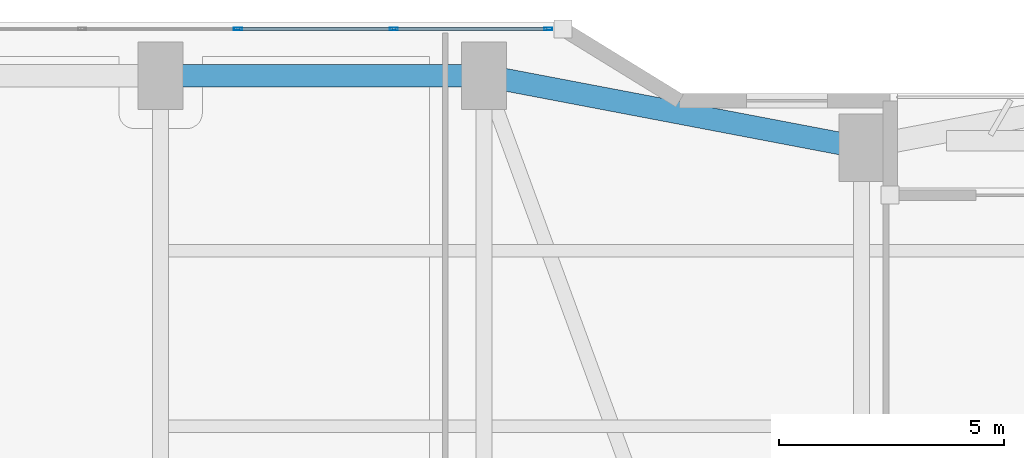
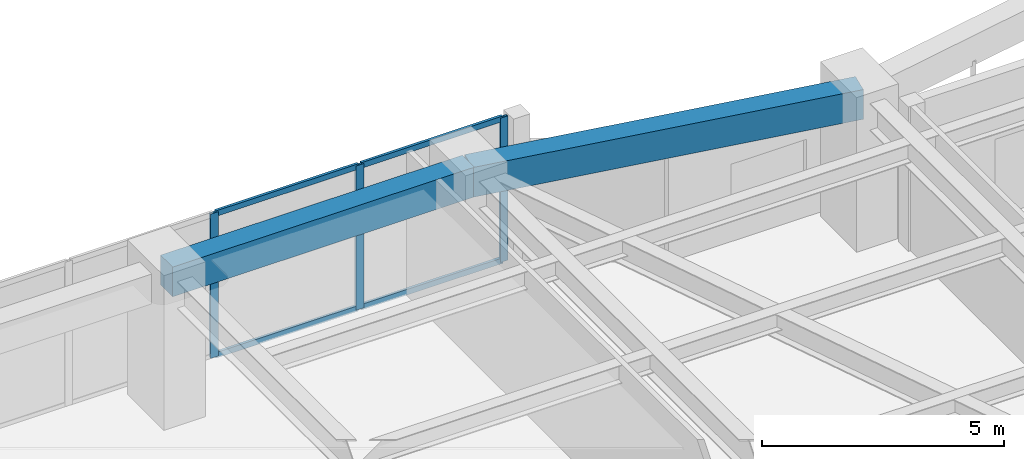
# One storey, part 17 of 28: 7 members, 2 beams, 1 element without a shape of its own.
"""IFC4 building model written with IfcOpenShell, lengths in metres."""

from ifc_helpers import new_model, si_unit, direction, frame, origin, origin_2d, place, context, subcontext, project, spatial, rectangle, hollow_rectangle, extrude, material, layer, layer_set, material_profile, profile_set, type_object, element, aggregate, save


model = new_model("IFC4")

# Units and contexts
model_context = context("Model", 3, precision=1e-05, world=origin(), true_north=direction((0.0, 1.0)))
body_context = subcontext(model_context, "Body", "Model", "MODEL_VIEW")
ifc_project = project(units=[si_unit("LENGTHUNIT", "METRE"), si_unit("AREAUNIT", "SQUARE_METRE"), si_unit("VOLUMEUNIT", "CUBIC_METRE"), si_unit("PLANEANGLEUNIT", "RADIAN"), si_unit("MASSUNIT", "GRAM", prefix="KILO")], contexts=[model_context])

# Site, building, storey
site_placement = place(None, origin())
site = spatial("IfcSite", under=ifc_project, at=site_placement, CompositionType="ELEMENT")
building_placement = place(site_placement, origin())
building = spatial("IfcBuilding", under=site, at=building_placement, Name="Kiyonajd Concourse Tower", CompositionType="ELEMENT")
storey_placement = place(building_placement, frame((0.0, 0.0, 60.60009765625)))
storey = spatial("IfcBuildingStorey", under=building, at=storey_placement, Name="L16", CompositionType="ELEMENT", Elevation=60.60009765625)

# Beams
ifc_material_1 = material(Name="Precast concrete C50/60", Category="concrete")
ifc_material_profile_1 = material_profile(ifc_material_1, rectangle(XDim=0.5, YDim=0.75, at=origin_2d()), Name="RCBM-500x750")
ifc_profile_set_1 = profile_set([ifc_material_profile_1], Name="Precast concrete C50/60")
beam_type = type_object("IfcBeamType", Name="BM-SPAN-RC", PredefinedType="SPANDREL", material=ifc_profile_set_1)
beam_1_placement = place(storey_placement, frame((48.0, 59.60009765625, 3.264892578125), z_axis=(-0.982341315253, 0.187097675953, 0.0), x_axis=(-0.187097675953, -0.982341315253, 0.0)))
element("IfcBeam", 1, at=beam_1_placement, inside=storey, type_object=beam_type, Name="L16 Perimeter Bundled Tube Spandrel", PredefinedType="SPANDREL", context=body_context, shape_type="SweptSolid", body=[
    extrude(rectangle(XDim=0.5, YDim=0.75, at=origin_2d()), origin(), (0.0, 0.0, 1.0), 8.55078125),
])
beam_2_placement = place(storey_placement, frame((39.60009765625, 61.199951171875, 3.264892578125), z_axis=(-1.0, 0.0, 0.0), x_axis=(0.0, -1.0, 0.0)))
element("IfcBeam", 2, at=beam_2_placement, inside=storey, type_object=beam_type, Name="L16 Perimeter Bundled Tube Spandrel", PredefinedType="SPANDREL", context=body_context, shape_type="SweptSolid", body=[
    extrude(rectangle(XDim=0.5, YDim=0.75, at=origin_2d()), origin(), (0.0, 0.0, 1.0), 7.2001953125),
])

# Curtain wall, members
ifc_material_2 = material(Name="Thermally Broken Anodised Aluminium", Category="aluminium")
ifc_layer = layer(ifc_material_2, 0.179931640625)
ifc_layer_set = layer_set([ifc_layer], Name="Thermally Broken Anodised Aluminium")
curtain_wall_type = type_object("IfcCurtainWallType", Name="CW-SYS-02", PredefinedType="NOTDEFINED", material=ifc_layer_set)
curtain_wall_placement = place(storey_placement, origin())
curtain_wall = element("IfcCurtainWall", 3, at=curtain_wall_placement, inside=storey, type_object=curtain_wall_type, Name="L16 Unitised Curtain Wall CW2", PredefinedType="NOTDEFINED")
ifc_material_profile_2 = material_profile(ifc_material_2, hollow_rectangle(XDim=0.06494140625, YDim=0.179931640625, WallThickness=0.00390625, at=origin_2d()), Name="MULL-65x180")
ifc_profile_set_2 = profile_set([ifc_material_profile_2], Name="Thermally Broken Anodised Aluminium")
member_type_1 = type_object("IfcMemberType", Name="MB-CW-MULL1", PredefinedType="MULLION", material=ifc_profile_set_2)
member_1_placement = place(storey_placement, frame((34.123291015625, 62.239990234375, 0.0), z_axis=(0.0, 0.0, 1.0), x_axis=(0.0, 1.0, 0.0)))
member_1 = element("IfcMember", 4, at=member_1_placement, type_object=member_type_1, Name="CW2 mullion 4", PredefinedType="MULLION", context=body_context, shape_type="SweptSolid", body=[
    extrude(hollow_rectangle(XDim=0.06494140625, YDim=0.179931640625, WallThickness=0.00390625, at=origin_2d()), origin(), (0.0, 0.0, 1.0), 3.639892578125),
])
member_2_placement = place(storey_placement, frame((37.593994140625, 62.239990234375, 0.0), z_axis=(0.0, 0.0, 1.0), x_axis=(0.0, 1.0, 0.0)))
member_2 = element("IfcMember", 5, at=member_2_placement, type_object=member_type_1, Name="CW2 mullion 5", PredefinedType="MULLION", context=body_context, shape_type="SweptSolid", body=[
    extrude(hollow_rectangle(XDim=0.06494140625, YDim=0.179931640625, WallThickness=0.00390625, at=origin_2d()), origin(), (0.0, 0.0, 1.0), 3.639892578125),
])
member_3_placement = place(storey_placement, frame((41.0322265625, 62.239990234375, 0.0), z_axis=(0.0, 0.0, 1.0), x_axis=(0.0, 1.0, 0.0)))
member_3 = element("IfcMember", 6, at=member_3_placement, type_object=member_type_1, Name="CW2 mullion 6", PredefinedType="MULLION", context=body_context, shape_type="SweptSolid", body=[
    extrude(hollow_rectangle(XDim=0.06494140625, YDim=0.179931640625, WallThickness=0.00390625, at=origin_2d()), origin(), (0.0, 0.0, 1.0), 3.639892578125),
])
ifc_material_profile_3 = material_profile(ifc_material_2, hollow_rectangle(XDim=0.06494140625, YDim=0.139892578125, WallThickness=0.00390625, at=origin_2d()), Name="TRAN-65x140")
ifc_profile_set_3 = profile_set([ifc_material_profile_3], Name="Thermally Broken Anodised Aluminium")
member_type_2 = type_object("IfcMemberType", Name="MB-CW-TRAN1", PredefinedType="USERDEFINED", material=ifc_profile_set_3)
member_4_placement = place(storey_placement, frame((34.15576171875, 62.239990234375, 0.032470703125), z_axis=(1.0, 0.0, 0.0), x_axis=(0.0, 1.0, 0.0)))
member_4 = element("IfcMember", 7, at=member_4_placement, type_object=member_type_2, Name="CW2 transom 4.1", ObjectType="TRANSOM", PredefinedType="USERDEFINED", context=body_context, shape_type="SweptSolid", body=[
    extrude(hollow_rectangle(XDim=0.06494140625, YDim=0.139892578125, WallThickness=0.00390625, at=origin_2d()), origin(), (0.0, 0.0, 1.0), 3.40576171875),
])
member_5_placement = place(storey_placement, frame((34.15576171875, 62.239990234375, 3.607421875), z_axis=(1.0, 0.0, 0.0), x_axis=(0.0, 1.0, 0.0)))
member_5 = element("IfcMember", 8, at=member_5_placement, type_object=member_type_2, Name="CW2 transom 4.2", ObjectType="TRANSOM", PredefinedType="USERDEFINED", context=body_context, shape_type="SweptSolid", body=[
    extrude(hollow_rectangle(XDim=0.06494140625, YDim=0.139892578125, WallThickness=0.00390625, at=origin_2d()), origin(), (0.0, 0.0, 1.0), 3.40576171875),
])
member_6_placement = place(storey_placement, frame((37.62646484375, 62.239990234375, 0.032470703125), z_axis=(1.0, 0.0, 0.0), x_axis=(0.0, 1.0, 0.0)))
member_6 = element("IfcMember", 9, at=member_6_placement, type_object=member_type_2, Name="CW2 transom 5.1", ObjectType="TRANSOM", PredefinedType="USERDEFINED", context=body_context, shape_type="SweptSolid", body=[
    extrude(hollow_rectangle(XDim=0.06494140625, YDim=0.139892578125, WallThickness=0.00390625, at=origin_2d()), origin(), (0.0, 0.0, 1.0), 3.373291015625),
])
member_7_placement = place(storey_placement, frame((37.62646484375, 62.239990234375, 3.607421875), z_axis=(1.0, 0.0, 0.0), x_axis=(0.0, 1.0, 0.0)))
member_7 = element("IfcMember", 10, at=member_7_placement, type_object=member_type_2, Name="CW2 transom 5.2", ObjectType="TRANSOM", PredefinedType="USERDEFINED", context=body_context, shape_type="SweptSolid", body=[
    extrude(hollow_rectangle(XDim=0.06494140625, YDim=0.139892578125, WallThickness=0.00390625, at=origin_2d()), origin(), (0.0, 0.0, 1.0), 3.373291015625),
])
aggregate(curtain_wall, [member_1, member_2, member_3, member_4, member_5, member_6, member_7])

save(model, "model.ifc")
